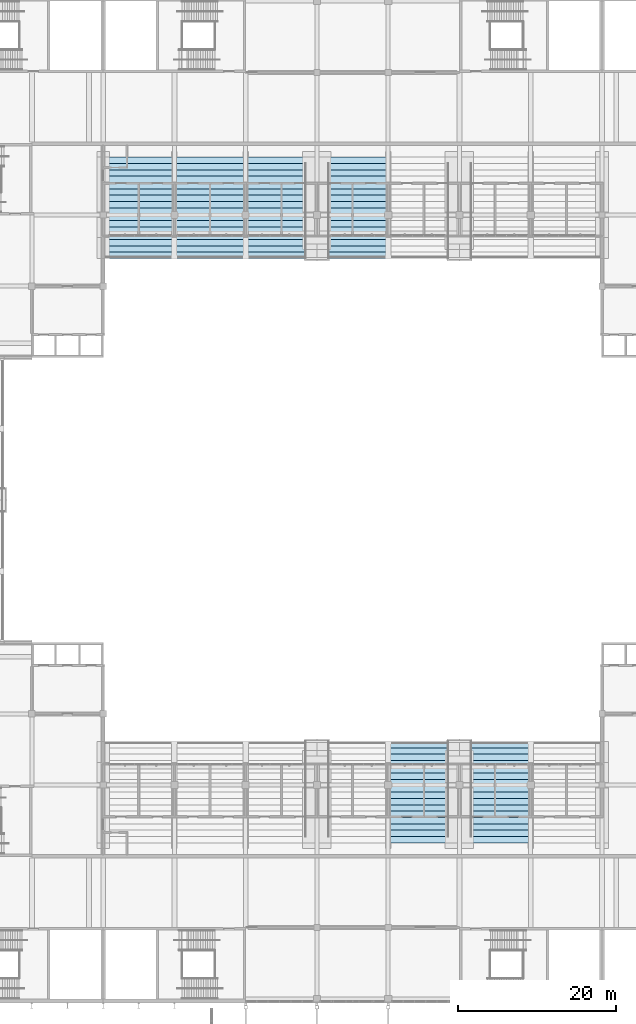
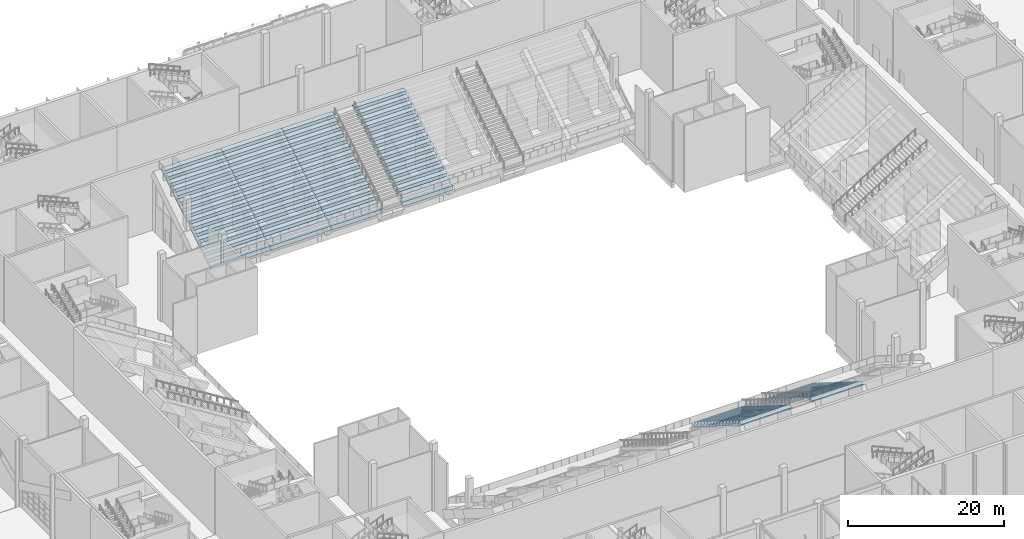
# One storey, part 133 of 182: 6 slabs.
"""IFC4 building model written with IfcOpenShell, lengths in metres."""

import ifcopenshell
import ifcopenshell.guid

model = None  # the IFC model being written
_history = None  # IfcOwnerHistory: only IFC2X3 demands one
_inside = {}  # id of a spatial element -> (the spatial element, [elements in it])
_under = {}  # id of a project, library or spatial element -> (it, [spatial elements below it])
_declared = {}  # id of a project -> (the project, [libraries it declares])
_typed = {}  # id of a type object -> (the type object, [elements of that type])
_made_of = {}  # id of a material, layer set ... -> (it, [elements and type objects made of it])


def new_model(schema):
    """Start an empty IFC model of exactly this schema.

    Asked for "IFC4X3", IfcOpenShell would pick the latest addendum, in which some entities
    have other attributes; the version numbers below select the first issue.
    IFC2X3 requires an IfcOwnerHistory on every rooted entity: one is made here for all.
    """
    global model, _history
    if schema == "IFC4X3":
        model = ifcopenshell.file(schema_version=(4, 3, 0, 0))
    else:
        model = ifcopenshell.file(schema=schema)
    _inside.clear()
    _under.clear()
    _declared.clear()
    _typed.clear()
    _made_of.clear()
    _history = None
    if model.schema == "IFC2X3":
        org = make("IfcOrganization", Name="unknown")
        user = make(
            "IfcPersonAndOrganization",
            ThePerson=make("IfcPerson", FamilyName="unknown"),
            TheOrganization=org,
        )
        app = make(
            "IfcApplication",
            ApplicationDeveloper=org,
            Version="unknown",
            ApplicationFullName="unknown",
            ApplicationIdentifier="unknown",
        )
        _history = make(
            "IfcOwnerHistory",
            OwningUser=user,
            OwningApplication=app,
            ChangeAction="ADDED",
            CreationDate=0,
        )
    return model


def make(cls, **values):
    """One entity of the class cls with the attributes given. An attribute that is None is left unset."""
    return model.create_entity(
        cls, **{name: value for name, value in values.items() if value is not None}
    )


def rooted(cls, **values):
    """An entity with a GlobalId (a new one), such as an element, a storey or a relation."""
    return make(cls, GlobalId=ifcopenshell.guid.new(), OwnerHistory=_history, **values)


def si_unit(unit_type, name, prefix=None):
    """IfcSIUnit, for example si_unit("LENGTHUNIT", "METRE", prefix="MILLI")."""
    return make("IfcSIUnit", UnitType=unit_type, Prefix=prefix, Name=name)


def assignment(units):
    """IfcUnitAssignment: the units of a project."""
    return None if units is None else make("IfcUnitAssignment", Units=units)


def point(xyz):
    """IfcCartesianPoint."""
    return None if xyz is None else make("IfcCartesianPoint", Coordinates=xyz)


def direction(xyz):
    """IfcDirection."""
    return None if xyz is None else make("IfcDirection", DirectionRatios=xyz)


def frame(location, z_axis=None, x_axis=None):
    """IfcAxis2Placement3D, a coordinate frame: its origin and axes. An axis left out is left unset."""
    return make(
        "IfcAxis2Placement3D",
        Location=point(location),
        Axis=direction(z_axis),
        RefDirection=direction(x_axis),
    )


def origin():
    """The frame at (0, 0, 0) with its axes left unset."""
    return frame((0.0, 0.0, 0.0))


def place(relative_to, where):
    """IfcLocalPlacement: puts the frame where relative to a parent placement (None: the world)."""
    return make(
        "IfcLocalPlacement", PlacementRelTo=relative_to, RelativePlacement=where
    )


def context(
    kind, dimensions, precision=None, world=None, true_north=None, identifier=None
):
    """IfcGeometricRepresentationContext, for example the 3D "Model" context."""
    return make(
        "IfcGeometricRepresentationContext",
        ContextIdentifier=identifier,
        ContextType=kind,
        CoordinateSpaceDimension=dimensions,
        Precision=precision,
        WorldCoordinateSystem=world,
        TrueNorth=true_north,
    )


def subcontext(parent, identifier, kind, view, scale=None):
    """IfcGeometricRepresentationSubContext, for example "Body" below "Model"."""
    return make(
        "IfcGeometricRepresentationSubContext",
        ContextIdentifier=identifier,
        ContextType=kind,
        ParentContext=parent,
        TargetScale=scale,
        TargetView=view,
    )


def project(units=None, contexts=None):
    """IfcProject with its units and contexts."""
    return rooted(
        "IfcProject",
        Name="project",
        RepresentationContexts=contexts,
        UnitsInContext=assignment(units),
    )


def spatial(cls, under=None, at=None, **own):
    """A site, building, storey or space (cls), placed at a placement, below another one or the project."""
    s = rooted(cls, ObjectPlacement=at, **own)
    if under is not None:
        _under.setdefault(under.id(), (under, []))[1].append(s)
    return s


def faces_of(points, faces, orient=None, outer=None):
    """IfcFace entities. A face is a list of loops; a loop is a list of indices into points, from 0.

    orient and outer hold one flag for each loop. By default every Orientation is true, the
    first loop of a face is its IfcFaceOuterBound and the others are IfcFaceBound.
    """
    made = []
    for i, loops in enumerate(faces):
        bounds = []
        for j, loop in enumerate(loops):
            is_outer = j == 0 if outer is None else outer[i][j]
            bounds.append(
                make(
                    "IfcFaceOuterBound" if is_outer else "IfcFaceBound",
                    Bound=make("IfcPolyLoop", Polygon=[points[k] for k in loop]),
                    Orientation=True if orient is None else orient[i][j],
                )
            )
        made.append(make("IfcFace", Bounds=bounds))
    return made


def faceted_brep(points, faces, orient=None, outer=None, voids=None):
    """IfcFacetedBrep: a solid bounded by flat faces; with voids (closed shells), ...WithVoids."""
    shared = [point(p) for p in points]
    hull = make("IfcClosedShell", CfsFaces=faces_of(shared, faces, orient, outer))
    if voids is None:
        return make("IfcFacetedBrep", Outer=hull)
    return make(
        "IfcFacetedBrepWithVoids",
        Outer=hull,
        Voids=[
            make(cls, CfsFaces=faces_of(shared, fs, o, b)) for cls, fs, o, b in voids
        ],
    )


def shape(context_of_items, identifier, shape_type, items):
    """IfcShapeRepresentation: the items that make up one representation, for example the "Body"."""
    return make(
        "IfcShapeRepresentation",
        ContextOfItems=context_of_items,
        RepresentationIdentifier=identifier,
        RepresentationType=shape_type,
        Items=items,
    )


def material(Name=None, Category=None):
    """IfcMaterial."""
    return make("IfcMaterial", Name=Name, Category=Category)


def layer(
    of_material, thickness, ventilated=None, Name=None, Category=None, Priority=None
):
    """IfcMaterialLayer: one layer of a wall or slab, of a material (None: an air gap)."""
    return make(
        "IfcMaterialLayer",
        Material=of_material,
        LayerThickness=thickness,
        IsVentilated=ventilated,
        Name=Name,
        Category=Category,
        Priority=Priority,
    )


def layer_set(layers, Name=None):
    """IfcMaterialLayerSet."""
    return make("IfcMaterialLayerSet", MaterialLayers=layers, LayerSetName=Name)


def made_of(thing, what):
    """Note that an element or type object is made of a material, layer set ...; save() writes the relation."""
    if what is not None:
        _made_of.setdefault(what.id(), (what, []))[1].append(thing)
    return thing


def type_object(cls, material=None, **own):
    """A type object (cls), such as IfcWallType, which elements share."""
    return made_of(rooted(cls, **own), material)


def element(
    cls,
    number,
    at=None,
    inside=None,
    cuts=None,
    type_object=None,
    material=None,
    context=None,
    identifier="Body",
    shape_type=None,
    held_by="IfcProductDefinitionShape",
    body=None,
    shapes=None,
    **own,
):
    """One element of the class cls, such as IfcWall. Its Tag is "e" and its number.

    at: its placement. inside: the storey or other place that contains it. cuts: it is an
    opening in that element (IfcRelVoidsElement). A single representation is given by context,
    identifier, shape_type and body (its items); several are given by shapes. held_by: the class
    of the entity that holds the representations. save() writes the other relations.
    """
    e = rooted(cls, Tag="e%d" % number, ObjectPlacement=at, **own)
    if body is not None:
        shapes = [shape(context, identifier, shape_type, body)]
    if shapes is not None:
        e.Representation = make(held_by, Representations=shapes)
    if inside is not None:
        _inside.setdefault(inside.id(), (inside, []))[1].append(e)
    if cuts is not None:
        rooted(
            "IfcRelVoidsElement", RelatingBuildingElement=cuts, RelatedOpeningElement=e
        )
    if type_object is not None:
        _typed.setdefault(type_object.id(), (type_object, []))[1].append(e)
    return made_of(e, material)


def aggregate(whole, parts):
    """IfcRelAggregates: a whole, such as a stair, and the parts it consists of."""
    return rooted("IfcRelAggregates", RelatingObject=whole, RelatedObjects=parts)


def save(model, path):
    """Write the relations noted so far, then the file.

    IfcRelAggregates (storeys below a building ...), IfcRelContainedInSpatialStructure (elements
    in a storey), IfcRelDefinesByType, IfcRelAssociatesMaterial and IfcRelDeclares: one each for
    every whole, place, type object, material and project.
    """
    for whole, parts in _under.values():
        aggregate(whole, parts)
    for where, things in _inside.values():
        rooted(
            "IfcRelContainedInSpatialStructure",
            RelatedElements=things,
            RelatingStructure=where,
        )
    for kind, things in _typed.values():
        rooted("IfcRelDefinesByType", RelatedObjects=things, RelatingType=kind)
    for what, things in _made_of.values():
        rooted("IfcRelAssociatesMaterial", RelatedObjects=things, RelatingMaterial=what)
    for by, libraries in _declared.values():
        rooted("IfcRelDeclares", RelatingContext=by, RelatedDefinitions=libraries)
    model.write(path)


model = new_model("IFC4")

# Units and contexts
model_context = context("Model", 3, precision=1e-05, world=origin(), true_north=direction((0.0, 1.0)))
body_context = subcontext(model_context, "Body", "Model", "MODEL_VIEW")
ifc_project = project(units=[si_unit("LENGTHUNIT", "METRE"), si_unit("AREAUNIT", "SQUARE_METRE"), si_unit("VOLUMEUNIT", "CUBIC_METRE"), si_unit("PLANEANGLEUNIT", "RADIAN"), si_unit("MASSUNIT", "GRAM", prefix="KILO")], contexts=[model_context])

# Site, building, storey
site_placement = place(None, origin())
site = spatial("IfcSite", under=ifc_project, at=site_placement, CompositionType="ELEMENT")
building_placement = place(site_placement, origin())
building = spatial("IfcBuilding", under=site, at=building_placement, Name="Silverbay Arena", CompositionType="ELEMENT")
storey_placement = place(building_placement, frame((0.0, 0.0, 11.5)))
storey = spatial("IfcBuildingStorey", under=building, at=storey_placement, Name="L02", CompositionType="ELEMENT", Elevation=11.5)

# Slabs
ifc_material = material(Name="Concrete Grade C45 precast", Category="concrete")
ifc_layer = layer(ifc_material, 0.679931640625)
ifc_layer_set = layer_set([ifc_layer], Name="Concrete Grade C45 precast")
slab_type = type_object("IfcSlabType", Name="Precast seating tier upper", PredefinedType="USERDEFINED", material=ifc_layer_set)
slab_1_placement = place(storey_placement, origin())
element("IfcSlab", 1, at=slab_1_placement, inside=storey, type_object=slab_type, Name="Stand South upper bay 5", ObjectType="SEATING TIER", PredefinedType="USERDEFINED", context=body_context, shape_type="Brep", body=[
    faceted_brep([(135.0, 50.5, 2.320068359375), (135.0, 37.699951171875, 10.320068359375), (135.0, 37.699951171875, 10.5), (135.0, 38.5, 10.5), (135.0, 38.5, 10.0), (135.0, 39.300048828125, 10.0), (135.0, 39.300048828125, 9.5), (135.0, 40.10009765625, 9.5), (135.0, 40.10009765625, 9.0), (135.0, 40.89990234375, 9.0), (135.0, 40.89990234375, 8.5), (135.0, 41.699951171875, 8.5), (135.0, 41.699951171875, 8.0), (135.0, 42.5, 8.0), (135.0, 42.5, 7.5), (135.0, 43.300048828125, 7.5), (135.0, 43.300048828125, 7.0), (135.0, 44.10009765625, 7.0), (135.0, 44.10009765625, 6.5), (135.0, 44.89990234375, 6.5), (135.0, 44.89990234375, 6.0), (135.0, 45.699951171875, 6.0), (135.0, 45.699951171875, 5.5), (135.0, 46.5, 5.5), (135.0, 46.5, 5.0), (135.0, 47.300048828125, 5.0), (135.0, 47.300048828125, 4.5), (135.0, 48.10009765625, 4.5), (135.0, 48.10009765625, 4.0), (135.0, 48.89990234375, 4.0), (135.0, 48.89990234375, 3.5), (135.0, 49.699951171875, 3.5), (135.0, 49.699951171875, 3.0), (135.0, 50.5, 3.0), (142.5, 50.5, 3.0), (142.5, 49.699951171875, 3.0), (142.5, 49.699951171875, 3.5), (142.5, 48.89990234375, 3.5), (142.5, 48.89990234375, 4.0), (142.5, 48.10009765625, 4.0), (142.5, 48.10009765625, 4.5), (142.5, 47.300048828125, 4.5), (142.5, 47.300048828125, 5.0), (142.5, 46.5, 5.0), (142.5, 46.5, 5.5), (142.5, 45.699951171875, 5.5), (142.5, 45.699951171875, 6.0), (142.5, 44.89990234375, 6.0), (142.5, 44.89990234375, 6.5), (142.5, 44.10009765625, 6.5), (142.5, 44.10009765625, 7.0), (142.5, 43.300048828125, 7.0), (142.5, 43.300048828125, 7.5), (142.5, 42.5, 7.5), (142.5, 42.5, 8.0), (142.5, 41.699951171875, 8.0), (142.5, 41.699951171875, 8.5), (142.5, 40.89990234375, 8.5), (142.5, 40.89990234375, 9.0), (142.5, 40.10009765625, 9.0), (142.5, 40.10009765625, 9.5), (142.5, 39.300048828125, 9.5), (142.5, 39.300048828125, 10.0), (142.5, 38.5, 10.0), (142.5, 38.5, 10.5), (142.5, 37.699951171875, 10.5), (142.5, 37.699951171875, 10.320068359375), (142.5, 50.5, 2.320068359375)], [[[0, 1, 2, 3, 4, 5, 6, 7, 8, 9, 10, 11, 12, 13, 14, 15, 16, 17, 18, 19, 20, 21, 22, 23, 24, 25, 26, 27, 28, 29, 30, 31, 32, 33]], [[34, 35, 36, 37, 38, 39, 40, 41, 42, 43, 44, 45, 46, 47, 48, 49, 50, 51, 52, 53, 54, 55, 56, 57, 58, 59, 60, 61, 62, 63, 64, 65, 66, 67]], [[33, 32, 35, 34]], [[32, 31, 36, 35]], [[31, 30, 37, 36]], [[30, 29, 38, 37]], [[29, 28, 39, 38]], [[28, 27, 40, 39]], [[27, 26, 41, 40]], [[26, 25, 42, 41]], [[25, 24, 43, 42]], [[24, 23, 44, 43]], [[23, 22, 45, 44]], [[22, 21, 46, 45]], [[21, 20, 47, 46]], [[20, 19, 48, 47]], [[19, 18, 49, 48]], [[18, 17, 50, 49]], [[17, 16, 51, 50]], [[16, 15, 52, 51]], [[15, 14, 53, 52]], [[14, 13, 54, 53]], [[13, 12, 55, 54]], [[12, 11, 56, 55]], [[11, 10, 57, 56]], [[10, 9, 58, 57]], [[9, 8, 59, 58]], [[8, 7, 60, 59]], [[7, 6, 61, 60]], [[6, 5, 62, 61]], [[5, 4, 63, 62]], [[4, 3, 64, 63]], [[3, 2, 65, 64]], [[2, 1, 66, 65]], [[1, 0, 67, 66]], [[0, 33, 34, 67]]]),
])
slab_2_placement = place(storey_placement, origin())
element("IfcSlab", 2, at=slab_2_placement, inside=storey, type_object=slab_type, Name="Stand South upper bay 6", ObjectType="SEATING TIER", PredefinedType="USERDEFINED", context=body_context, shape_type="Brep", body=[
    faceted_brep([(145.5, 50.5, 2.320068359375), (145.5, 37.699951171875, 10.320068359375), (145.5, 37.699951171875, 10.5), (145.5, 38.5, 10.5), (145.5, 38.5, 10.0), (145.5, 39.300048828125, 10.0), (145.5, 39.300048828125, 9.5), (145.5, 40.10009765625, 9.5), (145.5, 40.10009765625, 9.0), (145.5, 40.89990234375, 9.0), (145.5, 40.89990234375, 8.5), (145.5, 41.699951171875, 8.5), (145.5, 41.699951171875, 8.0), (145.5, 42.5, 8.0), (145.5, 42.5, 7.5), (145.5, 43.300048828125, 7.5), (145.5, 43.300048828125, 7.0), (145.5, 44.10009765625, 7.0), (145.5, 44.10009765625, 6.5), (145.5, 44.89990234375, 6.5), (145.5, 44.89990234375, 6.0), (145.5, 45.699951171875, 6.0), (145.5, 45.699951171875, 5.5), (145.5, 46.5, 5.5), (145.5, 46.5, 5.0), (145.5, 47.300048828125, 5.0), (145.5, 47.300048828125, 4.5), (145.5, 48.10009765625, 4.5), (145.5, 48.10009765625, 4.0), (145.5, 48.89990234375, 4.0), (145.5, 48.89990234375, 3.5), (145.5, 49.699951171875, 3.5), (145.5, 49.699951171875, 3.0), (145.5, 50.5, 3.0), (153.0, 50.5, 3.0), (153.0, 49.699951171875, 3.0), (153.0, 49.699951171875, 3.5), (153.0, 48.89990234375, 3.5), (153.0, 48.89990234375, 4.0), (153.0, 48.10009765625, 4.0), (153.0, 48.10009765625, 4.5), (153.0, 47.300048828125, 4.5), (153.0, 47.300048828125, 5.0), (153.0, 46.5, 5.0), (153.0, 46.5, 5.5), (153.0, 45.699951171875, 5.5), (153.0, 45.699951171875, 6.0), (153.0, 44.89990234375, 6.0), (153.0, 44.89990234375, 6.5), (153.0, 44.10009765625, 6.5), (153.0, 44.10009765625, 7.0), (153.0, 43.300048828125, 7.0), (153.0, 43.300048828125, 7.5), (153.0, 42.5, 7.5), (153.0, 42.5, 8.0), (153.0, 41.699951171875, 8.0), (153.0, 41.699951171875, 8.5), (153.0, 40.89990234375, 8.5), (153.0, 40.89990234375, 9.0), (153.0, 40.10009765625, 9.0), (153.0, 40.10009765625, 9.5), (153.0, 39.300048828125, 9.5), (153.0, 39.300048828125, 10.0), (153.0, 38.5, 10.0), (153.0, 38.5, 10.5), (153.0, 37.699951171875, 10.5), (153.0, 37.699951171875, 10.320068359375), (153.0, 50.5, 2.320068359375)], [[[0, 1, 2, 3, 4, 5, 6, 7, 8, 9, 10, 11, 12, 13, 14, 15, 16, 17, 18, 19, 20, 21, 22, 23, 24, 25, 26, 27, 28, 29, 30, 31, 32, 33]], [[34, 35, 36, 37, 38, 39, 40, 41, 42, 43, 44, 45, 46, 47, 48, 49, 50, 51, 52, 53, 54, 55, 56, 57, 58, 59, 60, 61, 62, 63, 64, 65, 66, 67]], [[33, 32, 35, 34]], [[32, 31, 36, 35]], [[31, 30, 37, 36]], [[30, 29, 38, 37]], [[29, 28, 39, 38]], [[28, 27, 40, 39]], [[27, 26, 41, 40]], [[26, 25, 42, 41]], [[25, 24, 43, 42]], [[24, 23, 44, 43]], [[23, 22, 45, 44]], [[22, 21, 46, 45]], [[21, 20, 47, 46]], [[20, 19, 48, 47]], [[19, 18, 49, 48]], [[18, 17, 50, 49]], [[17, 16, 51, 50]], [[16, 15, 52, 51]], [[15, 14, 53, 52]], [[14, 13, 54, 53]], [[13, 12, 55, 54]], [[12, 11, 56, 55]], [[11, 10, 57, 56]], [[10, 9, 58, 57]], [[9, 8, 59, 58]], [[8, 7, 60, 59]], [[7, 6, 61, 60]], [[6, 5, 62, 61]], [[5, 4, 63, 62]], [[4, 3, 64, 63]], [[3, 2, 65, 64]], [[2, 1, 66, 65]], [[1, 0, 67, 66]], [[0, 33, 34, 67]]]),
])
slab_3_placement = place(storey_placement, origin())
element("IfcSlab", 3, at=slab_3_placement, inside=storey, type_object=slab_type, Name="Stand North upper bay 1", ObjectType="SEATING TIER", PredefinedType="USERDEFINED", context=body_context, shape_type="Brep", body=[
    faceted_brep([(99.39990234375, 111.5, 3.0), (99.39990234375, 112.300048828125, 3.0), (99.25, 112.300048828125, 3.0), (99.25, 111.5, 3.0), (99.25, 111.5, 2.320068359375), (99.25, 112.300048828125, 2.820068359375), (99.39990234375, 112.300048828125, 2.820068359375), (99.39990234375, 111.5, 2.320068359375), (108.0, 111.5, 3.0), (108.0, 112.300048828125, 3.0), (108.0, 112.300048828125, 2.820068359375), (108.0, 111.5, 2.320068359375), (99.39990234375, 112.300048828125, 3.5), (99.39990234375, 113.10009765625, 3.5), (99.25, 113.10009765625, 3.5), (99.25, 112.300048828125, 3.5), (99.25, 113.10009765625, 3.320068359375), (99.39990234375, 113.10009765625, 3.320068359375), (108.0, 112.300048828125, 3.5), (108.0, 113.10009765625, 3.5), (108.0, 113.10009765625, 3.320068359375), (99.39990234375, 113.10009765625, 4.0), (99.39990234375, 113.89990234375, 4.0), (99.25, 113.89990234375, 4.0), (99.25, 113.10009765625, 4.0), (99.25, 113.89990234375, 3.820068359375), (99.39990234375, 113.89990234375, 3.820068359375), (108.0, 113.10009765625, 4.0), (108.0, 113.89990234375, 4.0), (108.0, 113.89990234375, 3.820068359375), (99.39990234375, 113.89990234375, 4.5), (99.39990234375, 114.699951171875, 4.5), (99.25, 114.699951171875, 4.5), (99.25, 113.89990234375, 4.5), (99.25, 114.699951171875, 4.320068359375), (99.39990234375, 114.699951171875, 4.320068359375), (108.0, 113.89990234375, 4.5), (108.0, 114.699951171875, 4.5), (108.0, 114.699951171875, 4.320068359375), (99.39990234375, 114.699951171875, 5.0), (99.39990234375, 115.5, 5.0), (99.25, 115.5, 5.0), (99.25, 114.699951171875, 5.0), (99.25, 115.5, 4.820068359375), (99.39990234375, 115.5, 4.820068359375), (108.0, 114.699951171875, 5.0), (108.0, 115.5, 5.0), (108.0, 115.5, 4.820068359375), (99.39990234375, 115.5, 5.5), (99.39990234375, 116.300048828125, 5.5), (99.25, 116.300048828125, 5.5), (99.25, 115.5, 5.5), (99.25, 116.300048828125, 5.320068359375), (99.39990234375, 116.300048828125, 5.320068359375), (108.0, 115.5, 5.5), (108.0, 116.300048828125, 5.5), (108.0, 116.300048828125, 5.320068359375), (99.39990234375, 116.300048828125, 6.0), (99.39990234375, 116.60009765625, 6.0), (99.25, 116.60009765625, 6.0), (99.25, 116.300048828125, 6.0), (99.25, 116.60009765625, 5.507568359375), (99.39990234375, 116.60009765625, 5.507568359375), (108.0, 116.300048828125, 6.0), (108.0, 116.60009765625, 6.0), (108.0, 116.60009765625, 5.507568359375), (108.0, 117.10009765625, 6.0), (99.39990234375, 117.10009765625, 6.0), (99.39990234375, 117.10009765625, 5.820068359375), (108.0, 117.10009765625, 5.820068359375), (108.0, 117.10009765625, 6.5), (108.0, 117.39990234375, 6.5), (99.39990234375, 117.39990234375, 6.5), (99.39990234375, 117.10009765625, 6.5), (99.39990234375, 117.39990234375, 6.007568359375), (108.0, 117.39990234375, 6.007568359375), (99.39990234375, 117.89990234375, 6.5), (99.25, 117.89990234375, 6.5), (99.25, 117.39990234375, 6.5), (99.25, 117.39990234375, 6.007568359375), (99.25, 117.89990234375, 6.320068359375), (99.39990234375, 117.89990234375, 6.320068359375), (108.0, 117.89990234375, 6.5), (108.0, 117.89990234375, 6.320068359375), (99.39990234375, 117.89990234375, 7.0), (99.39990234375, 118.699951171875, 7.0), (99.25, 118.699951171875, 7.0), (99.25, 117.89990234375, 7.0), (99.25, 118.699951171875, 6.820068359375), (99.39990234375, 118.699951171875, 6.820068359375), (108.0, 117.89990234375, 7.0), (108.0, 118.699951171875, 7.0), (108.0, 118.699951171875, 6.820068359375), (99.39990234375, 118.699951171875, 7.5), (99.39990234375, 119.5, 7.5), (99.25, 119.5, 7.5), (99.25, 118.699951171875, 7.5), (99.25, 119.5, 7.320068359375), (99.39990234375, 119.5, 7.320068359375), (108.0, 118.699951171875, 7.5), (108.0, 119.5, 7.5), (108.0, 119.5, 7.320068359375), (99.39990234375, 119.5, 8.0), (99.39990234375, 120.300048828125, 8.0), (99.25, 120.300048828125, 8.0), (99.25, 119.5, 8.0), (99.25, 120.300048828125, 7.820068359375), (99.39990234375, 120.300048828125, 7.820068359375), (108.0, 119.5, 8.0), (108.0, 120.300048828125, 8.0), (108.0, 120.300048828125, 7.820068359375), (99.39990234375, 120.300048828125, 8.5), (99.39990234375, 121.10009765625, 8.5), (99.25, 121.10009765625, 8.5), (99.25, 120.300048828125, 8.5), (99.25, 121.10009765625, 8.320068359375), (99.39990234375, 121.10009765625, 8.320068359375), (108.0, 120.300048828125, 8.5), (108.0, 121.10009765625, 8.5), (108.0, 121.10009765625, 8.320068359375), (99.39990234375, 121.10009765625, 9.0), (99.39990234375, 121.89990234375, 9.0), (99.25, 121.89990234375, 9.0), (99.25, 121.10009765625, 9.0), (99.25, 121.89990234375, 8.820068359375), (99.39990234375, 121.89990234375, 8.820068359375), (108.0, 121.10009765625, 9.0), (108.0, 121.89990234375, 9.0), (108.0, 121.89990234375, 8.820068359375), (99.39990234375, 121.89990234375, 9.5), (99.39990234375, 122.699951171875, 9.5), (99.25, 122.699951171875, 9.5), (99.25, 121.89990234375, 9.5), (99.25, 122.699951171875, 9.320068359375), (99.39990234375, 122.699951171875, 9.320068359375), (108.0, 121.89990234375, 9.5), (108.0, 122.699951171875, 9.5), (108.0, 122.699951171875, 9.320068359375), (99.39990234375, 122.699951171875, 10.0), (99.39990234375, 123.5, 10.0), (99.25, 123.5, 10.0), (99.25, 122.699951171875, 10.0), (99.25, 123.5, 9.820068359375), (99.39990234375, 123.5, 9.820068359375), (108.0, 122.699951171875, 10.0), (108.0, 123.5, 10.0), (108.0, 123.5, 9.820068359375), (99.39990234375, 123.5, 10.5), (99.39990234375, 124.300048828125, 10.5), (99.25, 124.300048828125, 10.5), (99.25, 123.5, 10.5), (99.25, 124.300048828125, 10.320068359375), (99.39990234375, 124.300048828125, 10.320068359375), (108.0, 123.5, 10.5), (108.0, 124.300048828125, 10.5), (108.0, 124.300048828125, 10.320068359375)], [[[0, 1, 2, 3]], [[4, 5, 6, 7]], [[3, 2, 5, 4]], [[4, 7, 0, 3]], [[8, 9, 1, 0]], [[7, 6, 10, 11]], [[11, 10, 9, 8]], [[7, 11, 8, 0]], [[12, 13, 14, 15]], [[5, 16, 17, 6]], [[2, 15, 14, 16, 5]], [[2, 1, 12, 15]], [[18, 19, 13, 12]], [[6, 17, 20, 10]], [[9, 10, 20, 19, 18]], [[1, 9, 18, 12]], [[21, 22, 23, 24]], [[16, 25, 26, 17]], [[14, 24, 23, 25, 16]], [[14, 13, 21, 24]], [[27, 28, 22, 21]], [[17, 26, 29, 20]], [[19, 20, 29, 28, 27]], [[13, 19, 27, 21]], [[30, 31, 32, 33]], [[25, 34, 35, 26]], [[23, 33, 32, 34, 25]], [[23, 22, 30, 33]], [[36, 37, 31, 30]], [[26, 35, 38, 29]], [[28, 29, 38, 37, 36]], [[22, 28, 36, 30]], [[39, 40, 41, 42]], [[34, 43, 44, 35]], [[32, 42, 41, 43, 34]], [[32, 31, 39, 42]], [[45, 46, 40, 39]], [[35, 44, 47, 38]], [[37, 38, 47, 46, 45]], [[31, 37, 45, 39]], [[48, 49, 50, 51]], [[43, 52, 53, 44]], [[41, 51, 50, 52, 43]], [[41, 40, 48, 51]], [[54, 55, 49, 48]], [[44, 53, 56, 47]], [[46, 47, 56, 55, 54]], [[40, 46, 54, 48]], [[57, 58, 59, 60]], [[52, 61, 62, 53]], [[50, 60, 59, 61, 52]], [[50, 49, 57, 60]], [[59, 58, 62, 61]], [[63, 64, 58, 57]], [[53, 62, 65, 56]], [[55, 56, 65, 64, 63]], [[49, 55, 63, 57]], [[64, 66, 67, 58]], [[62, 68, 69, 65]], [[58, 67, 68, 62]], [[65, 69, 66, 64]], [[70, 71, 72, 73]], [[68, 74, 75, 69]], [[67, 73, 72, 74, 68]], [[66, 69, 75, 71, 70]], [[67, 66, 70, 73]], [[72, 76, 77, 78]], [[79, 80, 81, 74]], [[78, 77, 80, 79]], [[79, 74, 72, 78]], [[71, 82, 76, 72]], [[74, 81, 83, 75]], [[75, 83, 82, 71]], [[84, 85, 86, 87]], [[80, 88, 89, 81]], [[77, 87, 86, 88, 80]], [[77, 76, 84, 87]], [[90, 91, 85, 84]], [[81, 89, 92, 83]], [[82, 83, 92, 91, 90]], [[76, 82, 90, 84]], [[93, 94, 95, 96]], [[88, 97, 98, 89]], [[86, 96, 95, 97, 88]], [[86, 85, 93, 96]], [[99, 100, 94, 93]], [[89, 98, 101, 92]], [[91, 92, 101, 100, 99]], [[85, 91, 99, 93]], [[102, 103, 104, 105]], [[97, 106, 107, 98]], [[95, 105, 104, 106, 97]], [[95, 94, 102, 105]], [[108, 109, 103, 102]], [[98, 107, 110, 101]], [[100, 101, 110, 109, 108]], [[94, 100, 108, 102]], [[111, 112, 113, 114]], [[106, 115, 116, 107]], [[104, 114, 113, 115, 106]], [[104, 103, 111, 114]], [[117, 118, 112, 111]], [[107, 116, 119, 110]], [[109, 110, 119, 118, 117]], [[103, 109, 117, 111]], [[120, 121, 122, 123]], [[115, 124, 125, 116]], [[113, 123, 122, 124, 115]], [[113, 112, 120, 123]], [[126, 127, 121, 120]], [[116, 125, 128, 119]], [[118, 119, 128, 127, 126]], [[112, 118, 126, 120]], [[129, 130, 131, 132]], [[124, 133, 134, 125]], [[122, 132, 131, 133, 124]], [[122, 121, 129, 132]], [[135, 136, 130, 129]], [[125, 134, 137, 128]], [[127, 128, 137, 136, 135]], [[121, 127, 135, 129]], [[138, 139, 140, 141]], [[133, 142, 143, 134]], [[131, 141, 140, 142, 133]], [[131, 130, 138, 141]], [[144, 145, 139, 138]], [[134, 143, 146, 137]], [[136, 137, 146, 145, 144]], [[130, 136, 144, 138]], [[147, 148, 149, 150]], [[142, 151, 152, 143]], [[140, 150, 149, 151, 142]], [[140, 139, 147, 150]], [[149, 148, 152, 151]], [[153, 154, 148, 147]], [[143, 152, 155, 146]], [[145, 146, 155, 154, 153]], [[139, 145, 153, 147]], [[148, 154, 155, 152]]]),
])
slab_4_placement = place(storey_placement, origin())
element("IfcSlab", 4, at=slab_4_placement, inside=storey, type_object=slab_type, Name="Stand North upper bay 2", ObjectType="SEATING TIER", PredefinedType="USERDEFINED", context=body_context, shape_type="Brep", body=[
    faceted_brep([(108.0, 111.5, 3.0), (108.0, 112.300048828125, 3.0), (108.0, 112.300048828125, 3.5), (108.0, 113.10009765625, 3.5), (108.0, 113.10009765625, 4.0), (108.0, 113.89990234375, 4.0), (108.0, 113.89990234375, 4.5), (108.0, 114.699951171875, 4.5), (108.0, 114.699951171875, 5.0), (108.0, 115.5, 5.0), (108.0, 115.5, 5.5), (108.0, 116.300048828125, 5.5), (108.0, 116.300048828125, 6.0), (108.0, 117.10009765625, 6.0), (108.0, 117.10009765625, 6.5), (108.0, 117.89990234375, 6.5), (108.0, 117.89990234375, 7.0), (108.0, 118.699951171875, 7.0), (108.0, 118.699951171875, 7.5), (108.0, 119.5, 7.5), (108.0, 119.5, 8.0), (108.0, 120.300048828125, 8.0), (108.0, 120.300048828125, 8.5), (108.0, 121.10009765625, 8.5), (108.0, 121.10009765625, 9.0), (108.0, 121.89990234375, 9.0), (108.0, 121.89990234375, 9.5), (108.0, 122.699951171875, 9.5), (108.0, 122.699951171875, 10.0), (108.0, 123.5, 10.0), (108.0, 123.5, 10.5), (108.0, 124.300048828125, 10.5), (108.0, 124.300048828125, 10.320068359375), (108.0, 111.5, 2.320068359375), (117.0, 111.5, 2.320068359375), (117.0, 124.300048828125, 10.320068359375), (117.0, 124.300048828125, 10.5), (117.0, 123.5, 10.5), (117.0, 123.5, 10.0), (117.0, 122.699951171875, 10.0), (117.0, 122.699951171875, 9.5), (117.0, 121.89990234375, 9.5), (117.0, 121.89990234375, 9.0), (117.0, 121.10009765625, 9.0), (117.0, 121.10009765625, 8.5), (117.0, 120.300048828125, 8.5), (117.0, 120.300048828125, 8.0), (117.0, 119.5, 8.0), (117.0, 119.5, 7.5), (117.0, 118.699951171875, 7.5), (117.0, 118.699951171875, 7.0), (117.0, 117.89990234375, 7.0), (117.0, 117.89990234375, 6.5), (117.0, 117.10009765625, 6.5), (117.0, 117.10009765625, 6.0), (117.0, 116.300048828125, 6.0), (117.0, 116.300048828125, 5.5), (117.0, 115.5, 5.5), (117.0, 115.5, 5.0), (117.0, 114.699951171875, 5.0), (117.0, 114.699951171875, 4.5), (117.0, 113.89990234375, 4.5), (117.0, 113.89990234375, 4.0), (117.0, 113.10009765625, 4.0), (117.0, 113.10009765625, 3.5), (117.0, 112.300048828125, 3.5), (117.0, 112.300048828125, 3.0), (117.0, 111.5, 3.0)], [[[0, 1, 2, 3, 4, 5, 6, 7, 8, 9, 10, 11, 12, 13, 14, 15, 16, 17, 18, 19, 20, 21, 22, 23, 24, 25, 26, 27, 28, 29, 30, 31, 32, 33]], [[34, 35, 36, 37, 38, 39, 40, 41, 42, 43, 44, 45, 46, 47, 48, 49, 50, 51, 52, 53, 54, 55, 56, 57, 58, 59, 60, 61, 62, 63, 64, 65, 66, 67]], [[67, 66, 1, 0]], [[66, 65, 2, 1]], [[65, 64, 3, 2]], [[64, 63, 4, 3]], [[63, 62, 5, 4]], [[62, 61, 6, 5]], [[61, 60, 7, 6]], [[60, 59, 8, 7]], [[59, 58, 9, 8]], [[58, 57, 10, 9]], [[57, 56, 11, 10]], [[56, 55, 12, 11]], [[55, 54, 13, 12]], [[54, 53, 14, 13]], [[53, 52, 15, 14]], [[52, 51, 16, 15]], [[51, 50, 17, 16]], [[50, 49, 18, 17]], [[49, 48, 19, 18]], [[48, 47, 20, 19]], [[47, 46, 21, 20]], [[46, 45, 22, 21]], [[45, 44, 23, 22]], [[44, 43, 24, 23]], [[43, 42, 25, 24]], [[42, 41, 26, 25]], [[41, 40, 27, 26]], [[40, 39, 28, 27]], [[39, 38, 29, 28]], [[38, 37, 30, 29]], [[37, 36, 31, 30]], [[36, 35, 32, 31]], [[35, 34, 33, 32]], [[34, 67, 0, 33]]]),
])
slab_5_placement = place(storey_placement, origin())
element("IfcSlab", 5, at=slab_5_placement, inside=storey, type_object=slab_type, Name="Stand North upper bay 3", ObjectType="SEATING TIER", PredefinedType="USERDEFINED", context=body_context, shape_type="Brep", body=[
    faceted_brep([(117.0, 111.5, 3.0), (117.0, 112.300048828125, 3.0), (117.0, 112.300048828125, 3.5), (117.0, 113.10009765625, 3.5), (117.0, 113.10009765625, 4.0), (117.0, 113.89990234375, 4.0), (117.0, 113.89990234375, 4.5), (117.0, 114.699951171875, 4.5), (117.0, 114.699951171875, 5.0), (117.0, 115.5, 5.0), (117.0, 115.5, 5.5), (117.0, 116.300048828125, 5.5), (117.0, 116.300048828125, 6.0), (117.0, 117.10009765625, 6.0), (117.0, 117.10009765625, 6.5), (117.0, 117.89990234375, 6.5), (117.0, 117.89990234375, 7.0), (117.0, 118.699951171875, 7.0), (117.0, 118.699951171875, 7.5), (117.0, 119.5, 7.5), (117.0, 119.5, 8.0), (117.0, 120.300048828125, 8.0), (117.0, 120.300048828125, 8.5), (117.0, 121.10009765625, 8.5), (117.0, 121.10009765625, 9.0), (117.0, 121.89990234375, 9.0), (117.0, 121.89990234375, 9.5), (117.0, 122.699951171875, 9.5), (117.0, 122.699951171875, 10.0), (117.0, 123.5, 10.0), (117.0, 123.5, 10.5), (117.0, 124.300048828125, 10.5), (117.0, 124.300048828125, 10.320068359375), (117.0, 111.5, 2.320068359375), (124.5, 111.5, 2.320068359375), (124.5, 124.300048828125, 10.320068359375), (124.5, 124.300048828125, 10.5), (124.5, 123.5, 10.5), (124.5, 123.5, 10.0), (124.5, 122.699951171875, 10.0), (124.5, 122.699951171875, 9.5), (124.5, 121.89990234375, 9.5), (124.5, 121.89990234375, 9.0), (124.5, 121.10009765625, 9.0), (124.5, 121.10009765625, 8.5), (124.5, 120.300048828125, 8.5), (124.5, 120.300048828125, 8.0), (124.5, 119.5, 8.0), (124.5, 119.5, 7.5), (124.5, 118.699951171875, 7.5), (124.5, 118.699951171875, 7.0), (124.5, 117.89990234375, 7.0), (124.5, 117.89990234375, 6.5), (124.5, 117.10009765625, 6.5), (124.5, 117.10009765625, 6.0), (124.5, 116.300048828125, 6.0), (124.5, 116.300048828125, 5.5), (124.5, 115.5, 5.5), (124.5, 115.5, 5.0), (124.5, 114.699951171875, 5.0), (124.5, 114.699951171875, 4.5), (124.5, 113.89990234375, 4.5), (124.5, 113.89990234375, 4.0), (124.5, 113.10009765625, 4.0), (124.5, 113.10009765625, 3.5), (124.5, 112.300048828125, 3.5), (124.5, 112.300048828125, 3.0), (124.5, 111.5, 3.0)], [[[0, 1, 2, 3, 4, 5, 6, 7, 8, 9, 10, 11, 12, 13, 14, 15, 16, 17, 18, 19, 20, 21, 22, 23, 24, 25, 26, 27, 28, 29, 30, 31, 32, 33]], [[34, 35, 36, 37, 38, 39, 40, 41, 42, 43, 44, 45, 46, 47, 48, 49, 50, 51, 52, 53, 54, 55, 56, 57, 58, 59, 60, 61, 62, 63, 64, 65, 66, 67]], [[67, 66, 1, 0]], [[66, 65, 2, 1]], [[65, 64, 3, 2]], [[64, 63, 4, 3]], [[63, 62, 5, 4]], [[62, 61, 6, 5]], [[61, 60, 7, 6]], [[60, 59, 8, 7]], [[59, 58, 9, 8]], [[58, 57, 10, 9]], [[57, 56, 11, 10]], [[56, 55, 12, 11]], [[55, 54, 13, 12]], [[54, 53, 14, 13]], [[53, 52, 15, 14]], [[52, 51, 16, 15]], [[51, 50, 17, 16]], [[50, 49, 18, 17]], [[49, 48, 19, 18]], [[48, 47, 20, 19]], [[47, 46, 21, 20]], [[46, 45, 22, 21]], [[45, 44, 23, 22]], [[44, 43, 24, 23]], [[43, 42, 25, 24]], [[42, 41, 26, 25]], [[41, 40, 27, 26]], [[40, 39, 28, 27]], [[39, 38, 29, 28]], [[38, 37, 30, 29]], [[37, 36, 31, 30]], [[36, 35, 32, 31]], [[35, 34, 33, 32]], [[34, 67, 0, 33]]]),
])
slab_6_placement = place(storey_placement, origin())
element("IfcSlab", 6, at=slab_6_placement, inside=storey, type_object=slab_type, Name="Stand North upper bay 4", ObjectType="SEATING TIER", PredefinedType="USERDEFINED", context=body_context, shape_type="Brep", body=[
    faceted_brep([(127.5, 111.5, 3.0), (127.5, 112.300048828125, 3.0), (127.5, 112.300048828125, 3.5), (127.5, 113.10009765625, 3.5), (127.5, 113.10009765625, 4.0), (127.5, 113.89990234375, 4.0), (127.5, 113.89990234375, 4.5), (127.5, 114.699951171875, 4.5), (127.5, 114.699951171875, 5.0), (127.5, 115.5, 5.0), (127.5, 115.5, 5.5), (127.5, 116.300048828125, 5.5), (127.5, 116.300048828125, 6.0), (127.5, 117.10009765625, 6.0), (127.5, 117.10009765625, 6.5), (127.5, 117.89990234375, 6.5), (127.5, 117.89990234375, 7.0), (127.5, 118.699951171875, 7.0), (127.5, 118.699951171875, 7.5), (127.5, 119.5, 7.5), (127.5, 119.5, 8.0), (127.5, 120.300048828125, 8.0), (127.5, 120.300048828125, 8.5), (127.5, 121.10009765625, 8.5), (127.5, 121.10009765625, 9.0), (127.5, 121.89990234375, 9.0), (127.5, 121.89990234375, 9.5), (127.5, 122.699951171875, 9.5), (127.5, 122.699951171875, 10.0), (127.5, 123.5, 10.0), (127.5, 123.5, 10.5), (127.5, 124.300048828125, 10.5), (127.5, 124.300048828125, 10.320068359375), (127.5, 111.5, 2.320068359375), (135.0, 111.5, 2.320068359375), (135.0, 124.300048828125, 10.320068359375), (135.0, 124.300048828125, 10.5), (135.0, 123.5, 10.5), (135.0, 123.5, 10.0), (135.0, 122.699951171875, 10.0), (135.0, 122.699951171875, 9.5), (135.0, 121.89990234375, 9.5), (135.0, 121.89990234375, 9.0), (135.0, 121.10009765625, 9.0), (135.0, 121.10009765625, 8.5), (135.0, 120.300048828125, 8.5), (135.0, 120.300048828125, 8.0), (135.0, 119.5, 8.0), (135.0, 119.5, 7.5), (135.0, 118.699951171875, 7.5), (135.0, 118.699951171875, 7.0), (135.0, 117.89990234375, 7.0), (135.0, 117.89990234375, 6.5), (135.0, 117.10009765625, 6.5), (135.0, 117.10009765625, 6.0), (135.0, 116.300048828125, 6.0), (135.0, 116.300048828125, 5.5), (135.0, 115.5, 5.5), (135.0, 115.5, 5.0), (135.0, 114.699951171875, 5.0), (135.0, 114.699951171875, 4.5), (135.0, 113.89990234375, 4.5), (135.0, 113.89990234375, 4.0), (135.0, 113.10009765625, 4.0), (135.0, 113.10009765625, 3.5), (135.0, 112.300048828125, 3.5), (135.0, 112.300048828125, 3.0), (135.0, 111.5, 3.0)], [[[0, 1, 2, 3, 4, 5, 6, 7, 8, 9, 10, 11, 12, 13, 14, 15, 16, 17, 18, 19, 20, 21, 22, 23, 24, 25, 26, 27, 28, 29, 30, 31, 32, 33]], [[34, 35, 36, 37, 38, 39, 40, 41, 42, 43, 44, 45, 46, 47, 48, 49, 50, 51, 52, 53, 54, 55, 56, 57, 58, 59, 60, 61, 62, 63, 64, 65, 66, 67]], [[67, 66, 1, 0]], [[66, 65, 2, 1]], [[65, 64, 3, 2]], [[64, 63, 4, 3]], [[63, 62, 5, 4]], [[62, 61, 6, 5]], [[61, 60, 7, 6]], [[60, 59, 8, 7]], [[59, 58, 9, 8]], [[58, 57, 10, 9]], [[57, 56, 11, 10]], [[56, 55, 12, 11]], [[55, 54, 13, 12]], [[54, 53, 14, 13]], [[53, 52, 15, 14]], [[52, 51, 16, 15]], [[51, 50, 17, 16]], [[50, 49, 18, 17]], [[49, 48, 19, 18]], [[48, 47, 20, 19]], [[47, 46, 21, 20]], [[46, 45, 22, 21]], [[45, 44, 23, 22]], [[44, 43, 24, 23]], [[43, 42, 25, 24]], [[42, 41, 26, 25]], [[41, 40, 27, 26]], [[40, 39, 28, 27]], [[39, 38, 29, 28]], [[38, 37, 30, 29]], [[37, 36, 31, 30]], [[36, 35, 32, 31]], [[35, 34, 33, 32]], [[34, 67, 0, 33]]]),
])

save(model, "model.ifc")
